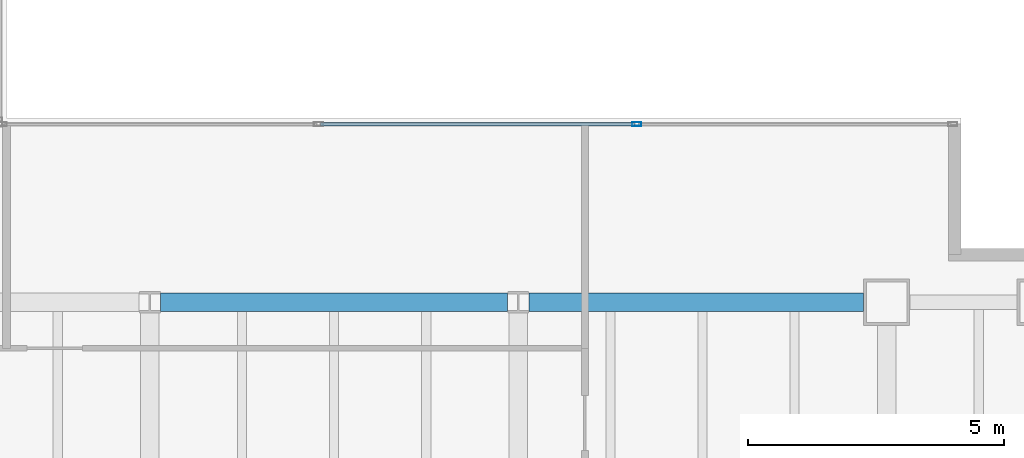
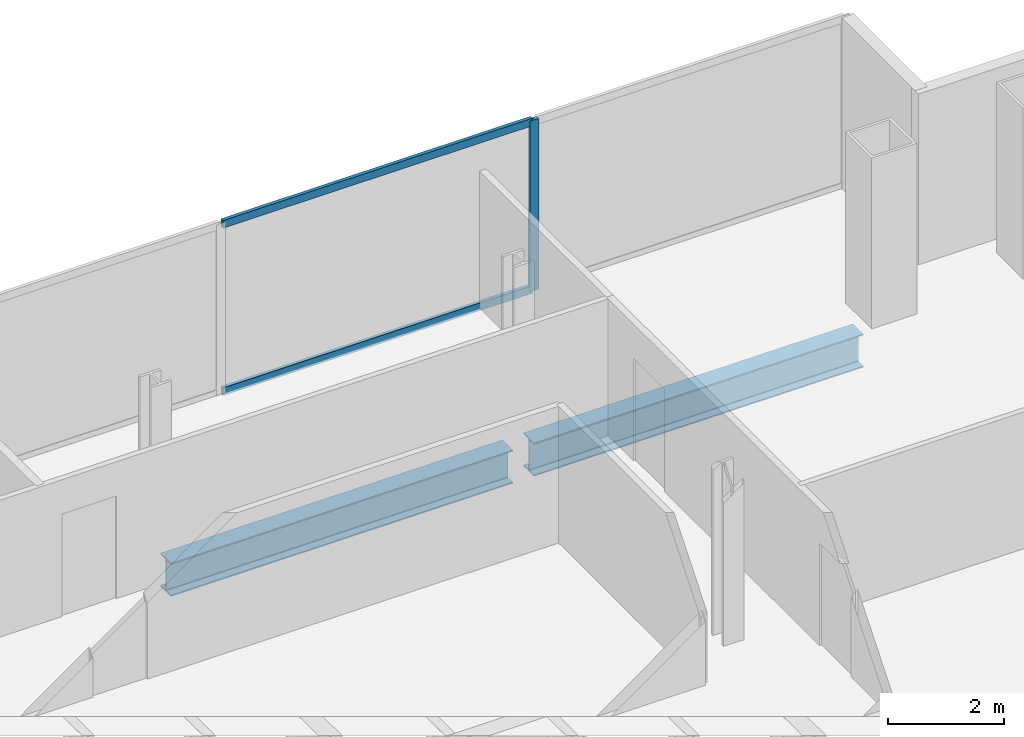
# One storey, part 14 of 23: 3 members, 2 beams, 1 element without a shape of its own.
"""IFC4 building model written with IfcOpenShell, lengths in metres."""

from ifc_helpers import new_model, si_unit, direction, frame, origin, origin_2d, place, context, subcontext, project, spatial, hollow_rectangle, i_section, extrude, material, material_profile, profile_set, type_object, element, aggregate, save


model = new_model("IFC4")

# Units and contexts
model_context = context("Model", 3, precision=1e-05, world=origin(), true_north=direction((0.0, 1.0)))
body_context = subcontext(model_context, "Body", "Model", "MODEL_VIEW")
ifc_project = project(units=[si_unit("LENGTHUNIT", "METRE"), si_unit("AREAUNIT", "SQUARE_METRE"), si_unit("VOLUMEUNIT", "CUBIC_METRE"), si_unit("PLANEANGLEUNIT", "RADIAN"), si_unit("MASSUNIT", "GRAM", prefix="KILO")], contexts=[model_context])

# Site, building, storey
site_placement = place(None, origin())
site = spatial("IfcSite", under=ifc_project, at=site_placement, CompositionType="ELEMENT")
building_placement = place(site_placement, origin())
building = spatial("IfcBuilding", under=site, at=building_placement, Name="Cobrela Telecom Tower", CompositionType="ELEMENT")
storey_placement = place(building_placement, frame((0.0, 0.0, 133.0)))
storey = spatial("IfcBuildingStorey", under=building, at=storey_placement, Name="L33", CompositionType="ELEMENT", Elevation=133.0)

# Beams
ifc_material_1 = material(Name="Steel ASTM A992 Grade 50", Category="steel")
ifc_material_profile_1 = material_profile(ifc_material_1, i_section(OverallWidth=0.35595703125, OverallDepth=0.696044921875, WebThickness=0.015380859375, FlangeThickness=0.024658203125, FilletRadius=0.01806640625, at=origin_2d()), Name="W27X146")
ifc_profile_set_1 = profile_set([ifc_material_profile_1], Name="Steel ASTM A992 Grade 50")
beam_type = type_object("IfcBeamType", Name="BM-GIRD-05", PredefinedType="USERDEFINED", material=ifc_profile_set_1)
beam_1_placement = place(storey_placement, frame((29.009521484375, 21.60009765625, -0.617919921875), z_axis=(1.0, 0.0, 0.0), x_axis=(0.0, 1.0, 0.0)))
element("IfcBeam", 1, at=beam_1_placement, inside=storey, type_object=beam_type, Name="L33 Primary Girder X20", ObjectType="GIRDER", PredefinedType="USERDEFINED", context=body_context, shape_type="SweptSolid", body=[
    extrude(i_section(OverallWidth=0.35595703125, OverallDepth=0.696044921875, WebThickness=0.015380859375, FlangeThickness=0.024658203125, FilletRadius=0.01806640625, at=origin_2d()), origin(), (0.0, 0.0, 1.0), 6.781005859375),
])
beam_2_placement = place(storey_placement, frame((36.20947265625, 21.60009765625, -0.617919921875), z_axis=(1.0, 0.0, 0.0), x_axis=(0.0, 1.0, 0.0)))
element("IfcBeam", 2, at=beam_2_placement, inside=storey, type_object=beam_type, Name="L33 Primary Girder X21", ObjectType="GIRDER", PredefinedType="USERDEFINED", context=body_context, shape_type="SweptSolid", body=[
    extrude(i_section(OverallWidth=0.35595703125, OverallDepth=0.696044921875, WebThickness=0.015380859375, FlangeThickness=0.024658203125, FilletRadius=0.01806640625, at=origin_2d()), origin(), (0.0, 0.0, 1.0), 6.53564453125),
])

# Curtain wall, members
ifc_material_2 = material(Name="Anodized Bronze Aluminium 6063-T6", Category="aluminium")
curtain_wall_type = type_object("IfcCurtainWallType", Name="CW-SYS-TEL", PredefinedType="USERDEFINED", material=ifc_material_2)
curtain_wall_placement = place(storey_placement, origin())
curtain_wall = element("IfcCurtainWall", 3, at=curtain_wall_placement, inside=storey, type_object=curtain_wall_type, Name="L33 Unitised Bronze Curtain Wall 11", ObjectType="UNITISED CURTAIN WALL", PredefinedType="USERDEFINED")
ifc_material_profile_2 = material_profile(ifc_material_2, hollow_rectangle(XDim=0.074951171875, YDim=0.179931640625, WallThickness=0.00390625, at=origin_2d()), Name="ALU 75x180x4")
ifc_profile_set_2 = profile_set([ifc_material_profile_2], Name="Anodized Bronze Aluminium 6063-T6")
member_type_1 = type_object("IfcMemberType", Name="CW-SYS-TEL-MUL", PredefinedType="MULLION", material=ifc_profile_set_2)
member_1_placement = place(storey_placement, frame((38.313232421875, 25.080078125, 0.0), z_axis=(0.0, 0.0, 1.0), x_axis=(0.0, 1.0, 0.0)))
member_1 = element("IfcMember", 4, at=member_1_placement, type_object=member_type_1, Name="CW-TEL mullion 3", PredefinedType="MULLION", context=body_context, shape_type="SweptSolid", body=[
    extrude(hollow_rectangle(XDim=0.074951171875, YDim=0.179931640625, WallThickness=0.00390625, at=origin_2d()), origin(), (0.0, 0.0, 1.0), 3.580078125),
])
ifc_material_profile_3 = material_profile(ifc_material_2, hollow_rectangle(XDim=0.070068359375, YDim=0.159912109375, WallThickness=0.00390625, at=origin_2d()), Name="ALU 70x160x4")
ifc_profile_set_3 = profile_set([ifc_material_profile_3], Name="Anodized Bronze Aluminium 6063-T6")
member_type_2 = type_object("IfcMemberType", Name="CW-SYS-TEL-TRN", PredefinedType="USERDEFINED", material=ifc_profile_set_3)
member_2_placement = place(storey_placement, frame((32.13427734375, 25.080078125, 0.034912109375), z_axis=(1.0, 0.0, 0.0), x_axis=(0.0, 1.0, 0.0)))
member_2 = element("IfcMember", 5, at=member_2_placement, type_object=member_type_2, Name="CW-TEL transom 2.1", ObjectType="TRANSOM", PredefinedType="USERDEFINED", context=body_context, shape_type="SweptSolid", body=[
    extrude(hollow_rectangle(XDim=0.070068359375, YDim=0.159912109375, WallThickness=0.00390625, at=origin_2d()), origin(), (0.0, 0.0, 1.0), 6.1416015625),
])
member_3_placement = place(storey_placement, frame((32.13427734375, 25.080078125, 3.544921875), z_axis=(1.0, 0.0, 0.0), x_axis=(0.0, 1.0, 0.0)))
member_3 = element("IfcMember", 6, at=member_3_placement, type_object=member_type_2, Name="CW-TEL transom 2.2", ObjectType="TRANSOM", PredefinedType="USERDEFINED", context=body_context, shape_type="SweptSolid", body=[
    extrude(hollow_rectangle(XDim=0.070068359375, YDim=0.159912109375, WallThickness=0.00390625, at=origin_2d()), origin(), (0.0, 0.0, 1.0), 6.1416015625),
])
aggregate(curtain_wall, [member_1, member_2, member_3])

save(model, "model.ifc")
